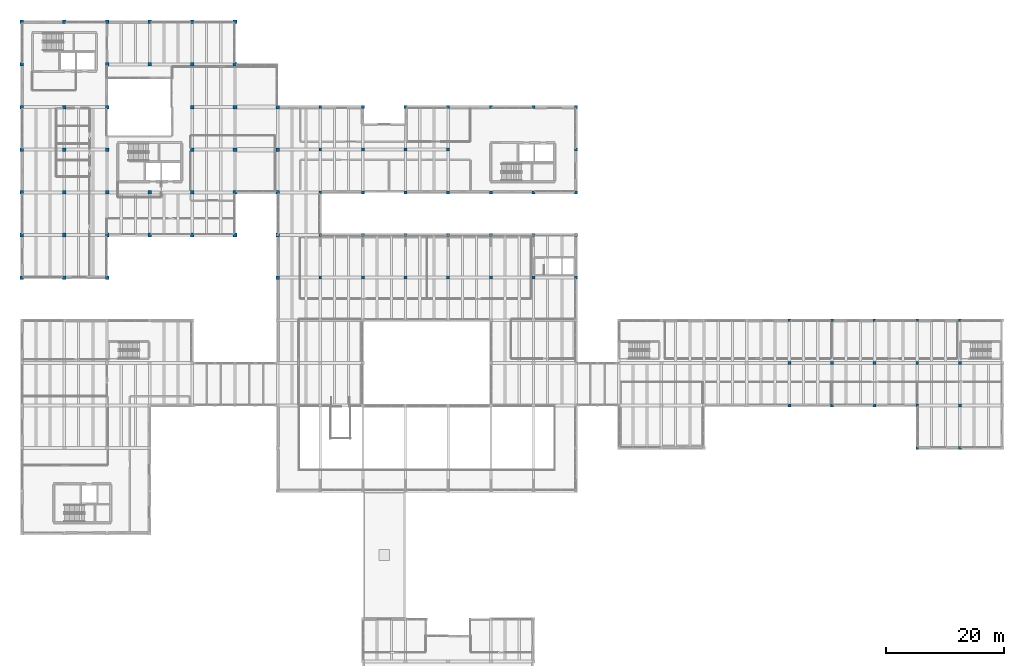
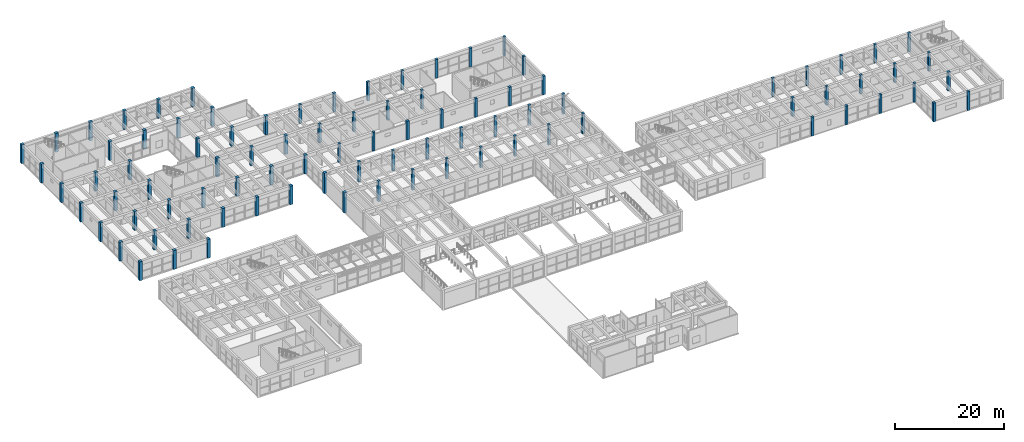
# One storey, part 6 of 153: 91 columns.
"""IFC4 building model written with IfcOpenShell, lengths in metres."""

from ifc_helpers import new_model, si_unit, direction, frame, origin, origin_2d, place, context, subcontext, project, spatial, rectangle, extrude, material, material_profile, profile_set, type_object, element, save


model = new_model("IFC4")

# Units and contexts
model_context = context("Model", 3, precision=1e-05, world=origin(), true_north=direction((0.0, 1.0)))
body_context = subcontext(model_context, "Body", "Model", "MODEL_VIEW")
ifc_project = project(units=[si_unit("LENGTHUNIT", "METRE"), si_unit("AREAUNIT", "SQUARE_METRE"), si_unit("VOLUMEUNIT", "CUBIC_METRE"), si_unit("PLANEANGLEUNIT", "RADIAN"), si_unit("MASSUNIT", "GRAM", prefix="KILO")], contexts=[model_context])

# Site, building, storey
site_placement = place(None, origin())
site = spatial("IfcSite", under=ifc_project, at=site_placement, CompositionType="ELEMENT")
building_placement = place(site_placement, origin())
building = spatial("IfcBuilding", under=site, at=building_placement, Name="Bramvelor Terrace Health Centre", CompositionType="ELEMENT")
storey_placement = place(building_placement, frame((0.0, 0.0, 4.800048828125)))
storey = spatial("IfcBuildingStorey", under=building, at=storey_placement, Name="L02", CompositionType="ELEMENT", Elevation=4.800048828125)

# Columns
ifc_material_1 = material(Name="Concrete C40/50", Category="concrete")
ifc_material_profile_1 = material_profile(ifc_material_1, rectangle(XDim=0.5, YDim=0.5, at=origin_2d()), Name="RC 500x500")
ifc_profile_set_1 = profile_set([ifc_material_profile_1], Name="Concrete C40/50")
column_type_1 = type_object("IfcColumnType", Name="COL-RC-500", PredefinedType="COLUMN", material=ifc_profile_set_1)
for number, where, z_axis, x_axis, name in (
    (1, (50.39990234375, 72.0, 0.0), (0.0, 0.0, 1.0), (1.0, 0.0, 0.0), "L02 Column (50.4, 72.0)"),
    (2, (50.39990234375, 79.199951171875, 0.0), (0.0, 0.0, 1.0), (1.0, 0.0, 0.0), "L02 Column (50.4, 79.2)"),
):
    element("IfcColumn", number, at=place(storey_placement, frame(where, z_axis=z_axis, x_axis=x_axis)), inside=storey, type_object=column_type_1, Name=name, PredefinedType="COLUMN", context=body_context, shape_type="SweptSolid", body=[
        extrude(rectangle(XDim=0.5, YDim=0.5, at=origin_2d()), origin(), (0.0, 0.0, 1.0), 4.550048828125),
    ])
for number, where, z_axis, x_axis, name in (
    (3, (50.39990234375, 86.39990234375, 0.0), (0.0, 0.0, 1.0), (1.0, 0.0, 0.0), "L02 Column (50.4, 86.4)"),
    (4, (50.39990234375, 93.60009765625, 0.0), (0.0, 0.0, 1.0), (1.0, 0.0, 0.0), "L02 Column (50.4, 93.6)"),
    (5, (50.39990234375, 100.800048828125, 0.0), (0.0, 0.0, 1.0), (1.0, 0.0, 0.0), "L02 Column (50.4, 100.8)"),
):
    element("IfcColumn", number, at=place(storey_placement, frame(where, z_axis=z_axis, x_axis=x_axis)), inside=storey, type_object=column_type_1, Name=name, PredefinedType="COLUMN", context=body_context, shape_type="SweptSolid", body=[
        extrude(rectangle(XDim=0.5, YDim=0.5, at=origin_2d()), origin(), (0.0, 0.0, 1.0), 4.199951171875),
    ])
for number, where, z_axis, x_axis, name in (
    (6, (57.60009765625, 72.0, 0.0), (0.0, 0.0, 1.0), (1.0, 0.0, 0.0), "L02 Column (57.6, 72.0)"),
    (7, (57.60009765625, 79.199951171875, 0.0), (0.0, 0.0, 1.0), (1.0, 0.0, 0.0), "L02 Column (57.6, 79.2)"),
):
    element("IfcColumn", number, at=place(storey_placement, frame(where, z_axis=z_axis, x_axis=x_axis)), inside=storey, type_object=column_type_1, Name=name, PredefinedType="COLUMN", context=body_context, shape_type="SweptSolid", body=[
        extrude(rectangle(XDim=0.5, YDim=0.5, at=origin_2d()), origin(), (0.0, 0.0, 1.0), 4.550048828125),
    ])
for number, where, z_axis, x_axis, name in (
    (8, (57.60009765625, 86.39990234375, 0.0), (0.0, 0.0, 1.0), (1.0, 0.0, 0.0), "L02 Column (57.6, 86.4)"),
    (9, (57.60009765625, 93.60009765625, 0.0), (0.0, 0.0, 1.0), (1.0, 0.0, 0.0), "L02 Column (57.6, 93.6)"),
    (10, (57.60009765625, 100.800048828125, 0.0), (0.0, 0.0, 1.0), (1.0, 0.0, 0.0), "L02 Column (57.6, 100.8)"),
):
    element("IfcColumn", number, at=place(storey_placement, frame(where, z_axis=z_axis, x_axis=x_axis)), inside=storey, type_object=column_type_1, Name=name, PredefinedType="COLUMN", context=body_context, shape_type="SweptSolid", body=[
        extrude(rectangle(XDim=0.5, YDim=0.5, at=origin_2d()), origin(), (0.0, 0.0, 1.0), 4.199951171875),
    ])
for number, where, z_axis, x_axis, name in (
    (11, (64.800048828125, 72.0, 0.0), (0.0, 0.0, 1.0), (1.0, 0.0, 0.0), "L02 Column (64.8, 72.0)"),
    (12, (64.800048828125, 79.199951171875, 0.0), (0.0, 0.0, 1.0), (1.0, 0.0, 0.0), "L02 Column (64.8, 79.2)"),
):
    element("IfcColumn", number, at=place(storey_placement, frame(where, z_axis=z_axis, x_axis=x_axis)), inside=storey, type_object=column_type_1, Name=name, PredefinedType="COLUMN", context=body_context, shape_type="SweptSolid", body=[
        extrude(rectangle(XDim=0.5, YDim=0.5, at=origin_2d()), origin(), (0.0, 0.0, 1.0), 4.550048828125),
    ])
for number, where, z_axis, x_axis, name in (
    (13, (64.800048828125, 86.39990234375, 0.0), (0.0, 0.0, 1.0), (1.0, 0.0, 0.0), "L02 Column (64.8, 86.4)"),
    (14, (64.800048828125, 93.60009765625, 0.0), (0.0, 0.0, 1.0), (1.0, 0.0, 0.0), "L02 Column (64.8, 93.6)"),
    (15, (64.800048828125, 100.800048828125, 0.0), (0.0, 0.0, 1.0), (1.0, 0.0, 0.0), "L02 Column (64.8, 100.8)"),
):
    element("IfcColumn", number, at=place(storey_placement, frame(where, z_axis=z_axis, x_axis=x_axis)), inside=storey, type_object=column_type_1, Name=name, PredefinedType="COLUMN", context=body_context, shape_type="SweptSolid", body=[
        extrude(rectangle(XDim=0.5, YDim=0.5, at=origin_2d()), origin(), (0.0, 0.0, 1.0), 4.199951171875),
    ])
for number, where, z_axis, x_axis, name in (
    (16, (72.0, 72.0, 0.0), (0.0, 0.0, 1.0), (1.0, 0.0, 0.0), "L02 Column (72.0, 72.0)"),
    (17, (72.0, 79.199951171875, 0.0), (0.0, 0.0, 1.0), (1.0, 0.0, 0.0), "L02 Column (72.0, 79.2)"),
):
    element("IfcColumn", number, at=place(storey_placement, frame(where, z_axis=z_axis, x_axis=x_axis)), inside=storey, type_object=column_type_1, Name=name, PredefinedType="COLUMN", context=body_context, shape_type="SweptSolid", body=[
        extrude(rectangle(XDim=0.5, YDim=0.5, at=origin_2d()), origin(), (0.0, 0.0, 1.0), 4.550048828125),
    ])
for number, where, z_axis, x_axis, name in (
    (18, (72.0, 86.39990234375, 0.0), (0.0, 0.0, 1.0), (1.0, 0.0, 0.0), "L02 Column (72.0, 86.4)"),
    (19, (72.0, 93.60009765625, 0.0), (0.0, 0.0, 1.0), (1.0, 0.0, 0.0), "L02 Column (72.0, 93.6)"),
    (20, (72.0, 100.800048828125, 0.0), (0.0, 0.0, 1.0), (1.0, 0.0, 0.0), "L02 Column (72.0, 100.8)"),
):
    element("IfcColumn", number, at=place(storey_placement, frame(where, z_axis=z_axis, x_axis=x_axis)), inside=storey, type_object=column_type_1, Name=name, PredefinedType="COLUMN", context=body_context, shape_type="SweptSolid", body=[
        extrude(rectangle(XDim=0.5, YDim=0.5, at=origin_2d()), origin(), (0.0, 0.0, 1.0), 4.199951171875),
    ])
for number, where, z_axis, x_axis, name in (
    (21, (79.199951171875, 72.0, 0.0), (0.0, 0.0, 1.0), (1.0, 0.0, 0.0), "L02 Column (79.2, 72.0)"),
    (22, (79.199951171875, 79.199951171875, 0.0), (0.0, 0.0, 1.0), (1.0, 0.0, 0.0), "L02 Column (79.2, 79.2)"),
):
    element("IfcColumn", number, at=place(storey_placement, frame(where, z_axis=z_axis, x_axis=x_axis)), inside=storey, type_object=column_type_1, Name=name, PredefinedType="COLUMN", context=body_context, shape_type="SweptSolid", body=[
        extrude(rectangle(XDim=0.5, YDim=0.5, at=origin_2d()), origin(), (0.0, 0.0, 1.0), 4.550048828125),
    ])
for number, where, z_axis, x_axis, name in (
    (23, (79.199951171875, 86.39990234375, 0.0), (0.0, 0.0, 1.0), (1.0, 0.0, 0.0), "L02 Column (79.2, 86.4)"),
    (24, (79.199951171875, 100.800048828125, 0.0), (0.0, 0.0, 1.0), (1.0, 0.0, 0.0), "L02 Column (79.2, 100.8)"),
):
    element("IfcColumn", number, at=place(storey_placement, frame(where, z_axis=z_axis, x_axis=x_axis)), inside=storey, type_object=column_type_1, Name=name, PredefinedType="COLUMN", context=body_context, shape_type="SweptSolid", body=[
        extrude(rectangle(XDim=0.5, YDim=0.5, at=origin_2d()), origin(), (0.0, 0.0, 1.0), 4.199951171875),
    ])
for number, where, z_axis, x_axis, name in (
    (25, (86.39990234375, 72.0, 0.0), (0.0, 0.0, 1.0), (1.0, 0.0, 0.0), "L02 Column (86.4, 72.0)"),
    (26, (86.39990234375, 79.199951171875, 0.0), (0.0, 0.0, 1.0), (1.0, 0.0, 0.0), "L02 Column (86.4, 79.2)"),
):
    element("IfcColumn", number, at=place(storey_placement, frame(where, z_axis=z_axis, x_axis=x_axis)), inside=storey, type_object=column_type_1, Name=name, PredefinedType="COLUMN", context=body_context, shape_type="SweptSolid", body=[
        extrude(rectangle(XDim=0.5, YDim=0.5, at=origin_2d()), origin(), (0.0, 0.0, 1.0), 4.550048828125),
    ])
for number, where, z_axis, x_axis, name in (
    (27, (86.39990234375, 86.39990234375, 0.0), (0.0, 0.0, 1.0), (1.0, 0.0, 0.0), "L02 Column (86.4, 86.4)"),
    (28, (86.39990234375, 100.800048828125, 0.0), (0.0, 0.0, 1.0), (1.0, 0.0, 0.0), "L02 Column (86.4, 100.8)"),
):
    element("IfcColumn", number, at=place(storey_placement, frame(where, z_axis=z_axis, x_axis=x_axis)), inside=storey, type_object=column_type_1, Name=name, PredefinedType="COLUMN", context=body_context, shape_type="SweptSolid", body=[
        extrude(rectangle(XDim=0.5, YDim=0.5, at=origin_2d()), origin(), (0.0, 0.0, 1.0), 4.199951171875),
    ])
for number, where, z_axis, x_axis, name in (
    (29, (93.60009765625, 72.0, 0.0), (0.0, 0.0, 1.0), (1.0, 0.0, 0.0), "L02 Column (93.6, 72.0)"),
    (30, (93.60009765625, 79.199951171875, 0.0), (0.0, 0.0, 1.0), (1.0, 0.0, 0.0), "L02 Column (93.6, 79.2)"),
):
    element("IfcColumn", number, at=place(storey_placement, frame(where, z_axis=z_axis, x_axis=x_axis)), inside=storey, type_object=column_type_1, Name=name, PredefinedType="COLUMN", context=body_context, shape_type="SweptSolid", body=[
        extrude(rectangle(XDim=0.5, YDim=0.5, at=origin_2d()), origin(), (0.0, 0.0, 1.0), 4.550048828125),
    ])
for number, where, z_axis, x_axis, name in (
    (31, (93.60009765625, 86.39990234375, 0.0), (0.0, 0.0, 1.0), (1.0, 0.0, 0.0), "L02 Column (93.6, 86.4)"),
    (32, (93.60009765625, 93.60009765625, 0.0), (0.0, 0.0, 1.0), (1.0, 0.0, 0.0), "L02 Column (93.6, 93.6)"),
    (33, (93.60009765625, 100.800048828125, 0.0), (0.0, 0.0, 1.0), (1.0, 0.0, 0.0), "L02 Column (93.6, 100.8)"),
    (34, (129.60009765625, 50.39990234375, 0.0), (0.0, 0.0, 1.0), (1.0, 0.0, 0.0), "L02 Column (129.6, 50.4)"),
    (35, (129.60009765625, 57.60009765625, 0.0), (0.0, 0.0, 1.0), (1.0, 0.0, 0.0), "L02 Column (129.6, 57.6)"),
    (36, (129.60009765625, 64.800048828125, 0.0), (0.0, 0.0, 1.0), (1.0, 0.0, 0.0), "L02 Column (129.6, 64.8)"),
    (37, (136.800048828125, 50.39990234375, 0.0), (0.0, 0.0, 1.0), (1.0, 0.0, 0.0), "L02 Column (136.8, 50.4)"),
    (38, (136.800048828125, 57.60009765625, 0.0), (0.0, 0.0, 1.0), (1.0, 0.0, 0.0), "L02 Column (136.8, 57.6)"),
    (39, (136.800048828125, 64.800048828125, 0.0), (0.0, 0.0, 1.0), (1.0, 0.0, 0.0), "L02 Column (136.8, 64.8)"),
    (40, (144.0, 50.39990234375, 0.0), (0.0, 0.0, 1.0), (1.0, 0.0, 0.0), "L02 Column (144.0, 50.4)"),
    (41, (144.0, 57.60009765625, 0.0), (0.0, 0.0, 1.0), (1.0, 0.0, 0.0), "L02 Column (144.0, 57.6)"),
    (42, (144.0, 64.800048828125, 0.0), (0.0, 0.0, 1.0), (1.0, 0.0, 0.0), "L02 Column (144.0, 64.8)"),
    (43, (151.199951171875, 43.199951171875, 0.0), (0.0, 0.0, 1.0), (1.0, 0.0, 0.0), "L02 Column (151.2, 43.2)"),
    (44, (151.199951171875, 50.39990234375, 0.0), (0.0, 0.0, 1.0), (1.0, 0.0, 0.0), "L02 Column (151.2, 50.4)"),
    (45, (151.199951171875, 57.60009765625, 0.0), (0.0, 0.0, 1.0), (1.0, 0.0, 0.0), "L02 Column (151.2, 57.6)"),
    (46, (151.199951171875, 64.800048828125, 0.0), (0.0, 0.0, 1.0), (1.0, 0.0, 0.0), "L02 Column (151.2, 64.8)"),
    (47, (158.39990234375, 43.199951171875, 0.0), (0.0, 0.0, 1.0), (1.0, 0.0, 0.0), "L02 Column (158.4, 43.2)"),
    (48, (158.39990234375, 50.39990234375, 0.0), (0.0, 0.0, 1.0), (1.0, 0.0, 0.0), "L02 Column (158.4, 50.4)"),
    (49, (158.39990234375, 57.60009765625, 0.0), (0.0, 0.0, 1.0), (1.0, 0.0, 0.0), "L02 Column (158.4, 57.6)"),
    (50, (158.39990234375, 64.800048828125, 0.0), (0.0, 0.0, 1.0), (1.0, 0.0, 0.0), "L02 Column (158.4, 64.8)"),
):
    element("IfcColumn", number, at=place(storey_placement, frame(where, z_axis=z_axis, x_axis=x_axis)), inside=storey, type_object=column_type_1, Name=name, PredefinedType="COLUMN", context=body_context, shape_type="SweptSolid", body=[
        extrude(rectangle(XDim=0.5, YDim=0.5, at=origin_2d()), origin(), (0.0, 0.0, 1.0), 4.199951171875),
    ])
ifc_material_2 = material(Name="Concrete C40/50", Category="concrete")
ifc_material_profile_2 = material_profile(ifc_material_2, rectangle(XDim=0.60009765625, YDim=0.60009765625, at=origin_2d()), Name="RC 600x600")
ifc_profile_set_2 = profile_set([ifc_material_profile_2], Name="Concrete C40/50")
column_type_2 = type_object("IfcColumnType", Name="COL-RC-600", PredefinedType="COLUMN", material=ifc_profile_set_2)
column_1_placement = place(storey_placement, frame((7.199951171875, 72.0, 0.0), z_axis=(0.0, 0.0, 1.0), x_axis=(1.0, 0.0, 0.0)))
element("IfcColumn", 51, at=column_1_placement, inside=storey, type_object=column_type_2, Name="L02 Column (7.2, 72.0)", PredefinedType="COLUMN", context=body_context, shape_type="SweptSolid", body=[
    extrude(rectangle(XDim=0.60009765625, YDim=0.60009765625, at=origin_2d()), origin(), (0.0, 0.0, 1.0), 4.219970703125),
])
for number, where, z_axis, x_axis, name in (
    (52, (7.199951171875, 79.199951171875, 0.0), (0.0, 0.0, 1.0), (1.0, 0.0, 0.0), "L02 Column (7.2, 79.2)"),
    (53, (7.199951171875, 86.39990234375, 0.0), (0.0, 0.0, 1.0), (1.0, 0.0, 0.0), "L02 Column (7.2, 86.4)"),
    (54, (7.199951171875, 93.60009765625, 0.0), (0.0, 0.0, 1.0), (1.0, 0.0, 0.0), "L02 Column (7.2, 93.6)"),
    (55, (7.199951171875, 100.800048828125, 0.0), (0.0, 0.0, 1.0), (1.0, 0.0, 0.0), "L02 Column (7.2, 100.8)"),
):
    element("IfcColumn", number, at=place(storey_placement, frame(where, z_axis=z_axis, x_axis=x_axis)), inside=storey, type_object=column_type_2, Name=name, PredefinedType="COLUMN", context=body_context, shape_type="SweptSolid", body=[
        extrude(rectangle(XDim=0.60009765625, YDim=0.60009765625, at=origin_2d()), origin(), (0.0, 0.0, 1.0), 4.199951171875),
    ])
column_2_placement = place(storey_placement, frame((14.39990234375, 72.0, 0.0), z_axis=(0.0, 0.0, 1.0), x_axis=(1.0, 0.0, 0.0)))
element("IfcColumn", 56, at=column_2_placement, inside=storey, type_object=column_type_2, Name="L02 Column (14.4, 72.0)", PredefinedType="COLUMN", context=body_context, shape_type="SweptSolid", body=[
    extrude(rectangle(XDim=0.60009765625, YDim=0.60009765625, at=origin_2d()), origin(), (0.0, 0.0, 1.0), 4.219970703125),
])
for number, where, z_axis, x_axis, name in (
    (57, (14.39990234375, 79.199951171875, 0.0), (0.0, 0.0, 1.0), (1.0, 0.0, 0.0), "L02 Column (14.4, 79.2)"),
    (58, (14.39990234375, 86.39990234375, 0.0), (0.0, 0.0, 1.0), (1.0, 0.0, 0.0), "L02 Column (14.4, 86.4)"),
    (59, (14.39990234375, 93.60009765625, 0.0), (0.0, 0.0, 1.0), (1.0, 0.0, 0.0), "L02 Column (14.4, 93.6)"),
    (60, (14.39990234375, 100.800048828125, 0.0), (0.0, 0.0, 1.0), (1.0, 0.0, 0.0), "L02 Column (14.4, 100.8)"),
    (61, (14.39990234375, 108.0, 0.0), (0.0, 0.0, 1.0), (1.0, 0.0, 0.0), "L02 Column (14.4, 108.0)"),
    (62, (21.60009765625, 79.199951171875, 0.0), (0.0, 0.0, 1.0), (1.0, 0.0, 0.0), "L02 Column (21.6, 79.2)"),
    (63, (21.60009765625, 86.39990234375, 0.0), (0.0, 0.0, 1.0), (1.0, 0.0, 0.0), "L02 Column (21.6, 86.4)"),
    (64, (21.60009765625, 108.0, 0.0), (0.0, 0.0, 1.0), (1.0, 0.0, 0.0), "L02 Column (21.6, 108.0)"),
    (65, (28.800048828125, 79.199951171875, 0.0), (0.0, 0.0, 1.0), (1.0, 0.0, 0.0), "L02 Column (28.8, 79.2)"),
    (66, (28.800048828125, 86.39990234375, 0.0), (0.0, 0.0, 1.0), (1.0, 0.0, 0.0), "L02 Column (28.8, 86.4)"),
    (67, (28.800048828125, 93.60009765625, 0.0), (0.0, 0.0, 1.0), (1.0, 0.0, 0.0), "L02 Column (28.8, 93.6)"),
    (68, (28.800048828125, 100.800048828125, 0.0), (0.0, 0.0, 1.0), (1.0, 0.0, 0.0), "L02 Column (28.8, 100.8)"),
    (69, (28.800048828125, 108.0, 0.0), (0.0, 0.0, 1.0), (1.0, 0.0, 0.0), "L02 Column (28.8, 108.0)"),
    (70, (36.0, 79.199951171875, 0.0), (0.0, 0.0, 1.0), (1.0, 0.0, 0.0), "L02 Column (36.0, 79.2)"),
    (71, (36.0, 86.39990234375, 0.0), (0.0, 0.0, 1.0), (1.0, 0.0, 0.0), "L02 Column (36.0, 86.4)"),
    (72, (36.0, 93.60009765625, 0.0), (0.0, 0.0, 1.0), (1.0, 0.0, 0.0), "L02 Column (36.0, 93.6)"),
    (73, (36.0, 100.800048828125, 0.0), (0.0, 0.0, 1.0), (1.0, 0.0, 0.0), "L02 Column (36.0, 100.8)"),
    (74, (36.0, 108.0, 0.0), (0.0, 0.0, 1.0), (1.0, 0.0, 0.0), "L02 Column (36.0, 108.0)"),
):
    element("IfcColumn", number, at=place(storey_placement, frame(where, z_axis=z_axis, x_axis=x_axis)), inside=storey, type_object=column_type_2, Name=name, PredefinedType="COLUMN", context=body_context, shape_type="SweptSolid", body=[
        extrude(rectangle(XDim=0.60009765625, YDim=0.60009765625, at=origin_2d()), origin(), (0.0, 0.0, 1.0), 4.199951171875),
    ])
for number, where, z_axis, x_axis, name in (
    (75, (43.199951171875, 72.0, 0.0), (0.0, 0.0, 1.0), (1.0, 0.0, 0.0), "L02 Column (43.2, 72.0)"),
    (76, (43.199951171875, 79.199951171875, 0.0), (0.0, 0.0, 1.0), (1.0, 0.0, 0.0), "L02 Column (43.2, 79.2)"),
):
    element("IfcColumn", number, at=place(storey_placement, frame(where, z_axis=z_axis, x_axis=x_axis)), inside=storey, type_object=column_type_2, Name=name, PredefinedType="COLUMN", context=body_context, shape_type="SweptSolid", body=[
        extrude(rectangle(XDim=0.60009765625, YDim=0.60009765625, at=origin_2d()), origin(), (0.0, 0.0, 1.0), 4.550048828125),
    ])
for number, where, z_axis, x_axis, name in (
    (77, (43.199951171875, 86.39990234375, 0.0), (0.0, 0.0, 1.0), (1.0, 0.0, 0.0), "L02 Column (43.2, 86.4)"),
    (78, (43.199951171875, 93.60009765625, 0.0), (0.0, 0.0, 1.0), (1.0, 0.0, 0.0), "L02 Column (43.2, 93.6)"),
    (79, (43.199951171875, 100.800048828125, 0.0), (0.0, 0.0, 1.0), (1.0, 0.0, 0.0), "L02 Column (43.2, 100.8)"),
):
    element("IfcColumn", number, at=place(storey_placement, frame(where, z_axis=z_axis, x_axis=x_axis)), inside=storey, type_object=column_type_2, Name=name, PredefinedType="COLUMN", context=body_context, shape_type="SweptSolid", body=[
        extrude(rectangle(XDim=0.60009765625, YDim=0.60009765625, at=origin_2d()), origin(), (0.0, 0.0, 1.0), 4.199951171875),
    ])
ifc_material_3 = material(Name="Concrete C40/50", Category="concrete")
ifc_material_profile_3 = material_profile(ifc_material_3, rectangle(XDim=0.60009765625, YDim=0.60009765625, at=origin_2d()), Name="RC 600x600")
ifc_profile_set_3 = profile_set([ifc_material_profile_3], Name="Concrete C40/50")
column_type_3 = type_object("IfcColumnType", Name="COL-RC-600-EXT", PredefinedType="COLUMN", material=ifc_profile_set_3)
column_3_placement = place(storey_placement, frame((0.0, 72.0, 0.0), z_axis=(0.0, 0.0, 1.0), x_axis=(1.0, 0.0, 0.0)))
element("IfcColumn", 80, at=column_3_placement, inside=storey, type_object=column_type_3, Name="L02 Column (0.0, 72.0)", PredefinedType="COLUMN", context=body_context, shape_type="SweptSolid", body=[
    extrude(rectangle(XDim=0.60009765625, YDim=0.60009765625, at=origin_2d()), origin(), (0.0, 0.0, 1.0), 4.219970703125),
])
for number, where, z_axis, x_axis, name in (
    (81, (0.0, 79.199951171875, 0.0), (0.0, 0.0, 1.0), (1.0, 0.0, 0.0), "L02 Column (0.0, 79.2)"),
    (82, (0.0, 86.39990234375, 0.0), (0.0, 0.0, 1.0), (1.0, 0.0, 0.0), "L02 Column (0.0, 86.4)"),
    (83, (0.0, 93.60009765625, 0.0), (0.0, 0.0, 1.0), (1.0, 0.0, 0.0), "L02 Column (0.0, 93.6)"),
    (84, (0.0, 100.800048828125, 0.0), (0.0, 0.0, 1.0), (1.0, 0.0, 0.0), "L02 Column (0.0, 100.8)"),
    (85, (0.0, 108.0, 0.0), (0.0, 0.0, 1.0), (1.0, 0.0, 0.0), "L02 Column (0.0, 108.0)"),
    (86, (0.0, 115.199951171875, 0.0), (0.0, 0.0, 1.0), (1.0, 0.0, 0.0), "L02 Column (0.0, 115.2)"),
    (87, (7.199951171875, 115.199951171875, 0.0), (0.0, 0.0, 1.0), (1.0, 0.0, 0.0), "L02 Column (7.2, 115.2)"),
    (88, (14.39990234375, 115.199951171875, 0.0), (0.0, 0.0, 1.0), (1.0, 0.0, 0.0), "L02 Column (14.4, 115.2)"),
    (89, (21.60009765625, 115.199951171875, 0.0), (0.0, 0.0, 1.0), (1.0, 0.0, 0.0), "L02 Column (21.6, 115.2)"),
    (90, (28.800048828125, 115.199951171875, 0.0), (0.0, 0.0, 1.0), (1.0, 0.0, 0.0), "L02 Column (28.8, 115.2)"),
    (91, (36.0, 115.199951171875, 0.0), (0.0, 0.0, 1.0), (1.0, 0.0, 0.0), "L02 Column (36.0, 115.2)"),
):
    element("IfcColumn", number, at=place(storey_placement, frame(where, z_axis=z_axis, x_axis=x_axis)), inside=storey, type_object=column_type_3, Name=name, PredefinedType="COLUMN", context=body_context, shape_type="SweptSolid", body=[
        extrude(rectangle(XDim=0.60009765625, YDim=0.60009765625, at=origin_2d()), origin(), (0.0, 0.0, 1.0), 4.199951171875),
    ])

save(model, "model.ifc")
